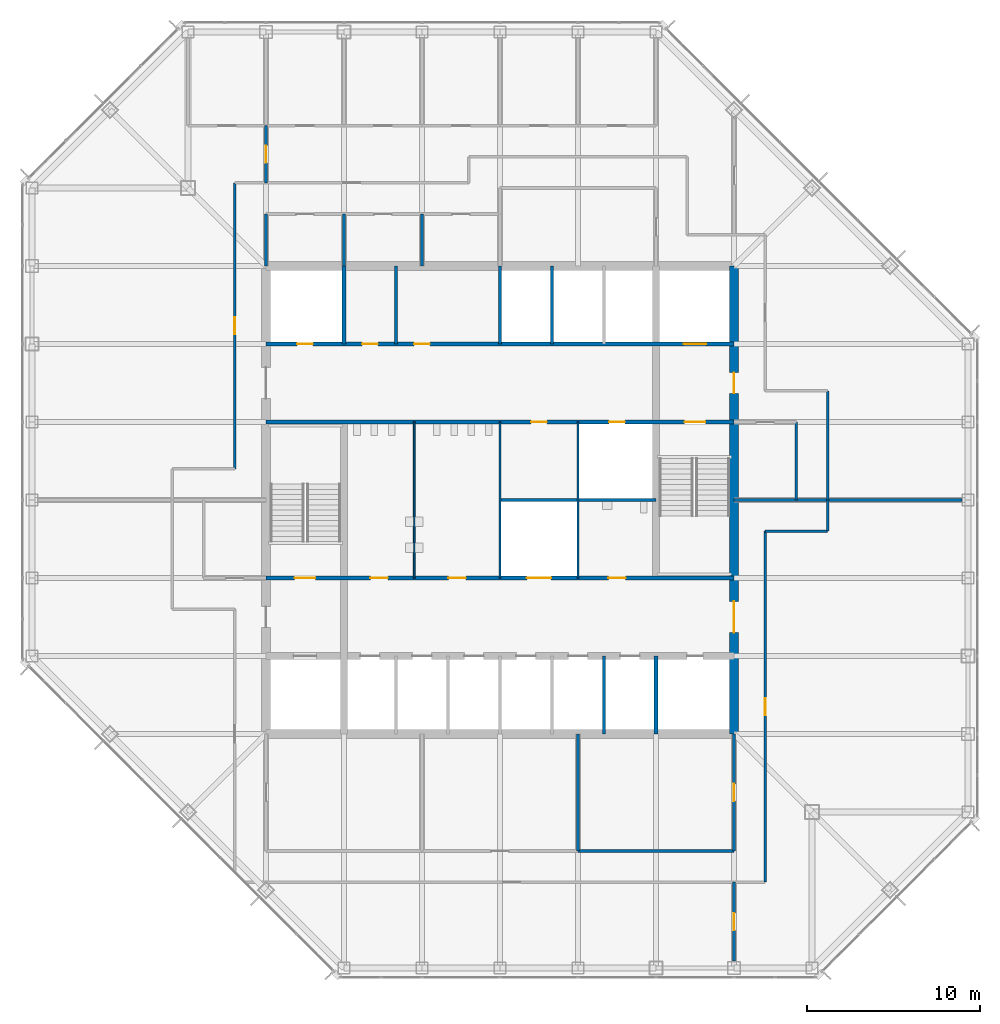
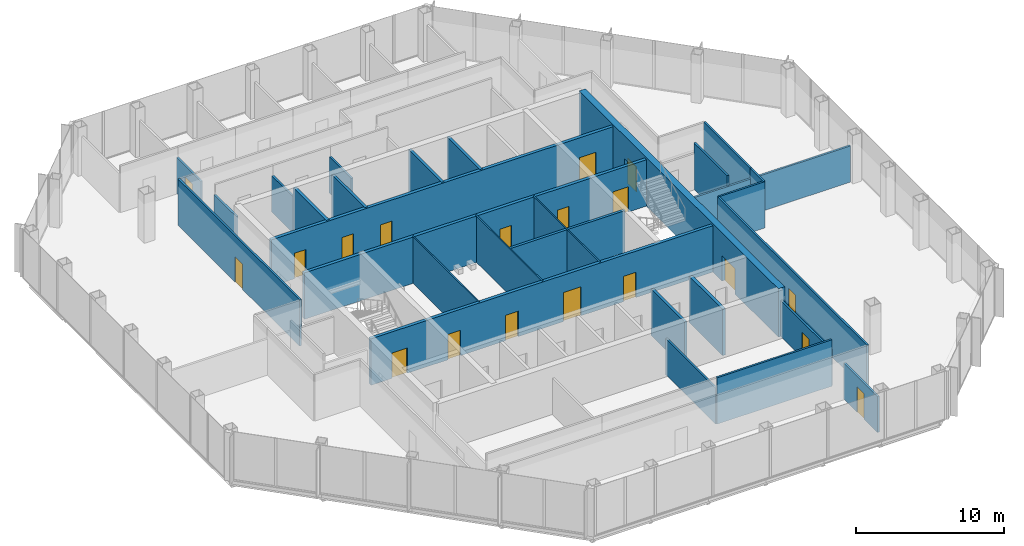
# One storey, part 9 of 13: 29 walls, 19 doors, 19 openings.
"""IFC4 building model written with IfcOpenShell, lengths in metres."""

from ifc_helpers import new_model, si_unit, direction, frame, frame_2d, origin, place, context, subcontext, project, spatial, rectangle, extrude, material, layer, layer_set, type_object, element, fill, save


model = new_model("IFC4")

# Units and contexts
model_context = context("Model", 3, precision=1e-05, world=origin(), true_north=direction((0.0, 1.0)))
body_context = subcontext(model_context, "Body", "Model", "MODEL_VIEW")
ifc_project = project(units=[si_unit("LENGTHUNIT", "METRE"), si_unit("AREAUNIT", "SQUARE_METRE"), si_unit("VOLUMEUNIT", "CUBIC_METRE"), si_unit("PLANEANGLEUNIT", "RADIAN"), si_unit("MASSUNIT", "GRAM", prefix="KILO")], contexts=[model_context])

# Site, building, storey
site_placement = place(None, origin())
site = spatial("IfcSite", under=ifc_project, at=site_placement, CompositionType="ELEMENT")
building_placement = place(site_placement, origin())
building = spatial("IfcBuilding", under=site, at=building_placement, Name="Corais Broadcast Tower", CompositionType="ELEMENT")
storey_placement = place(building_placement, frame((0.0, 0.0, 167.60009765625)))
storey = spatial("IfcBuildingStorey", under=building, at=storey_placement, Name="L38", CompositionType="ELEMENT", Elevation=167.60009765625)

# Walls
ifc_material_1 = material(Name="Concrete blockwork class A, grouted, two-hour", Category="masonry")
ifc_layer_1 = layer(ifc_material_1, 0.25)
ifc_layer_set_1 = layer_set([ifc_layer_1], Name="Concrete blockwork class A, grouted, two-hour")
wall_type_1 = type_object("IfcWallType", Name="Core lobby wall 250", PredefinedType="SOLIDWALL", material=ifc_layer_set_1)
for number, where, z_axis, x_axis, name in (
    (1, (18.0, 36.0, 0.0), (0.0, 0.0, 1.0), (0.0, 1.0, 0.0), "CL2 core shaft wall X18B L38"),
    (2, (36.0, 13.5, 0.0), (0.0, 0.0, 1.0), (0.0, 1.0, 0.0), "CL2 core shaft wall X36A L38"),
):
    element("IfcWall", number, at=place(storey_placement, frame(where, z_axis=z_axis, x_axis=x_axis)), inside=storey, type_object=wall_type_1, Name=name, PredefinedType="SOLIDWALL", context=body_context, shape_type="SweptSolid", body=[
        extrude(rectangle(XDim=4.5, YDim=0.25, at=frame_2d((2.25, 0.0))), origin(), (0.0, 0.0, 1.0), 3.83984375),
    ])

# Wall, openings, doors
wall_1_placement = place(storey_placement, frame((13.5, 22.5, 0.0), z_axis=(0.0, 0.0, 1.0), x_axis=(1.0, 0.0, 0.0)))
wall_1 = element("IfcWall", 3, at=wall_1_placement, inside=storey, type_object=wall_type_1, Name="CL2 core lobby wall Y225 L38", PredefinedType="SOLIDWALL", context=body_context, shape_type="SweptSolid", body=[
    extrude(rectangle(XDim=27.0, YDim=0.25, at=frame_2d((13.5, 0.0))), origin(), (0.0, 0.0, 1.0), 3.83984375),
])
opening_1_placement = place(wall_1_placement, frame((1.64990234375, 0.0, 0.0)))
opening_1 = element("IfcOpeningElement", 4, at=opening_1_placement, cuts=wall_1, Name="Opening FD1", PredefinedType="OPENING", context=body_context, shape_type="SweptSolid", body=[
    extrude(rectangle(XDim=1.199951171875, YDim=2.10009765625, at=frame_2d((0.60009765625, 1.050048828125))), frame((0.0, 0.135009765625, 0.0), z_axis=(0.0, -1.0, 0.0), x_axis=(1.0, 0.0, 0.0)), (0.0, 0.0, 1.0), 0.27001953125),
])
opening_2_placement = place(wall_1_placement, frame((6.02490234375, 0.0, 0.0)))
opening_2 = element("IfcOpeningElement", 5, at=opening_2_placement, cuts=wall_1, Name="Opening WD1", PredefinedType="OPENING", context=body_context, shape_type="SweptSolid", body=[
    extrude(rectangle(XDim=1.0, YDim=2.10009765625, at=frame_2d((0.5, 1.050048828125))), frame((0.0, 0.135009765625, 0.0), z_axis=(0.0, -1.0, 0.0), x_axis=(1.0, 0.0, 0.0)), (0.0, 0.0, 1.0), 0.27001953125),
])
opening_3_placement = place(wall_1_placement, frame((10.52490234375, 0.0, 0.0)))
opening_3 = element("IfcOpeningElement", 6, at=opening_3_placement, cuts=wall_1, Name="Opening WD1", PredefinedType="OPENING", context=body_context, shape_type="SweptSolid", body=[
    extrude(rectangle(XDim=1.0, YDim=2.10009765625, at=frame_2d((0.5, 1.050048828125))), frame((0.0, 0.135009765625, 0.0), z_axis=(0.0, -1.0, 0.0), x_axis=(1.0, 0.0, 0.0)), (0.0, 0.0, 1.0), 0.27001953125),
])
opening_4_placement = place(wall_1_placement, frame((19.75, 0.0, 0.0)))
opening_4 = element("IfcOpeningElement", 7, at=opening_4_placement, cuts=wall_1, Name="Opening WD1", PredefinedType="OPENING", context=body_context, shape_type="SweptSolid", body=[
    extrude(rectangle(XDim=1.0, YDim=2.10009765625, at=frame_2d((0.5, 1.050048828125))), frame((0.0, 0.135009765625, 0.0), z_axis=(0.0, -1.0, 0.0), x_axis=(1.0, 0.0, 0.0)), (0.0, 0.0, 1.0), 0.27001953125),
])
opening_5_placement = place(wall_1_placement, frame((15.050048828125, 0.0, 0.0)))
opening_5 = element("IfcOpeningElement", 8, at=opening_5_placement, cuts=wall_1, Name="Opening LD3", PredefinedType="OPENING", context=body_context, shape_type="SweptSolid", body=[
    extrude(rectangle(XDim=1.39990234375, YDim=2.39990234375, at=frame_2d((0.699951171875, 1.199951171875))), frame((0.0, 0.135009765625, 0.0), z_axis=(0.0, -1.0, 0.0), x_axis=(1.0, 0.0, 0.0)), (0.0, 0.0, 1.0), 0.27001953125),
])
ifc_material_2 = material(Name="Steel fire door", Category="steel")
door_type_1 = type_object("IfcDoorType", Name="Fire door 1200x2100", OperationType="SINGLE_SWING_LEFT", PredefinedType="DOOR", material=ifc_material_2)
door_1_placement = place(opening_1_placement, origin())
door_1 = element("IfcDoor", 9, at=door_1_placement, inside=storey, type_object=door_type_1, Name="FD1 stair A door L38", OperationType="SINGLE_SWING_LEFT", OverallHeight=2.10009765625, OverallWidth=1.199951171875, PredefinedType="DOOR", context=body_context, shape_type="SweptSolid", body=[
    extrude(rectangle(XDim=1.199951171875, YDim=2.10009765625, at=frame_2d((0.60009765625, 1.050048828125))), frame((0.0, 0.02490234375, 0.0), z_axis=(0.0, -1.0, 0.0), x_axis=(1.0, 0.0, 0.0)), (0.0, 0.0, 1.0), 0.050048828125),
])
fill(opening_1, door_1)
ifc_material_3 = material(Name="Stainless steel lift door", Category="steel")
door_type_2 = type_object("IfcDoorType", Name="Service lift landing door 1400x2400", OperationType="SLIDING_TO_LEFT", PredefinedType="DOOR", material=ifc_material_3)
door_2_placement = place(opening_5_placement, origin())
door_2 = element("IfcDoor", 10, at=door_2_placement, inside=storey, type_object=door_type_2, Name="LD3 SL1 landing door L38", OperationType="SLIDING_TO_LEFT", OverallHeight=2.39990234375, OverallWidth=1.39990234375, PredefinedType="DOOR", context=body_context, shape_type="SweptSolid", body=[
    extrude(rectangle(XDim=1.39990234375, YDim=2.39990234375, at=frame_2d((0.699951171875, 1.199951171875))), frame((0.0, 0.02490234375, 0.0), z_axis=(0.0, -1.0, 0.0), x_axis=(1.0, 0.0, 0.0)), (0.0, 0.0, 1.0), 0.050048828125),
])
fill(opening_5, door_2)
ifc_material_4 = material(Name="Timber door", Category="wood")
door_type_3 = type_object("IfcDoorType", Name="Toilet door 1000x2100", OperationType="SINGLE_SWING_LEFT", PredefinedType="DOOR", material=ifc_material_4)
door_3_placement = place(opening_2_placement, origin())
door_3 = element("IfcDoor", 11, at=door_3_placement, inside=storey, type_object=door_type_3, Name="WD1 WC male door L38", OperationType="SINGLE_SWING_LEFT", OverallHeight=2.10009765625, OverallWidth=1.0, PredefinedType="DOOR", context=body_context, shape_type="SweptSolid", body=[
    extrude(rectangle(XDim=1.0, YDim=2.10009765625, at=frame_2d((0.5, 1.050048828125))), frame((0.0, 0.02490234375, 0.0), z_axis=(0.0, -1.0, 0.0), x_axis=(1.0, 0.0, 0.0)), (0.0, 0.0, 1.0), 0.050048828125),
])
fill(opening_2, door_3)
door_4_placement = place(opening_3_placement, origin())
door_4 = element("IfcDoor", 12, at=door_4_placement, inside=storey, type_object=door_type_3, Name="WD1 WC female door L38", OperationType="SINGLE_SWING_LEFT", OverallHeight=2.10009765625, OverallWidth=1.0, PredefinedType="DOOR", context=body_context, shape_type="SweptSolid", body=[
    extrude(rectangle(XDim=1.0, YDim=2.10009765625, at=frame_2d((0.5, 1.050048828125))), frame((0.0, 0.02490234375, 0.0), z_axis=(0.0, -1.0, 0.0), x_axis=(1.0, 0.0, 0.0)), (0.0, 0.0, 1.0), 0.050048828125),
])
fill(opening_3, door_4)
door_5_placement = place(opening_4_placement, origin())
door_5 = element("IfcDoor", 13, at=door_5_placement, inside=storey, type_object=door_type_3, Name="WD1 accessible WC door L38", OperationType="SINGLE_SWING_RIGHT", OverallHeight=2.10009765625, OverallWidth=1.0, PredefinedType="DOOR", context=body_context, shape_type="SweptSolid", body=[
    extrude(rectangle(XDim=1.0, YDim=2.10009765625, at=frame_2d((0.5, 1.050048828125))), frame((0.0, 0.02490234375, 0.0), z_axis=(0.0, -1.0, 0.0), x_axis=(1.0, 0.0, 0.0)), (0.0, 0.0, 1.0), 0.050048828125),
])
fill(opening_4, door_5)

wall_2_placement = place(storey_placement, frame((13.5, 31.5, 0.0), z_axis=(0.0, 0.0, 1.0), x_axis=(1.0, 0.0, 0.0)))
wall_2 = element("IfcWall", 14, at=wall_2_placement, inside=storey, type_object=wall_type_1, Name="CL2 core lobby wall Y315 L38", PredefinedType="SOLIDWALL", context=body_context, shape_type="SweptSolid", body=[
    extrude(rectangle(XDim=27.0, YDim=0.25, at=frame_2d((13.5, 0.0))), origin(), (0.0, 0.0, 1.0), 3.83984375),
])
opening_6_placement = place(wall_2_placement, frame((24.14990234375, 0.0, 0.0)))
opening_6 = element("IfcOpeningElement", 15, at=opening_6_placement, cuts=wall_2, Name="Opening FD1", PredefinedType="OPENING", context=body_context, shape_type="SweptSolid", body=[
    extrude(rectangle(XDim=1.199951171875, YDim=2.10009765625, at=frame_2d((0.60009765625, 1.050048828125))), frame((0.0, 0.135009765625, 0.0), z_axis=(0.0, -1.0, 0.0), x_axis=(1.0, 0.0, 0.0)), (0.0, 0.0, 1.0), 0.27001953125),
])
opening_7_placement = place(wall_2_placement, frame((15.300048828125, 0.0, 0.0)))
opening_7 = element("IfcOpeningElement", 16, at=opening_7_placement, cuts=wall_2, Name="Opening RD1", PredefinedType="OPENING", context=body_context, shape_type="SweptSolid", body=[
    extrude(rectangle(XDim=0.89990234375, YDim=2.10009765625, at=frame_2d((0.449951171875, 1.050048828125))), frame((0.0, 0.135009765625, 0.0), z_axis=(0.0, -1.0, 0.0), x_axis=(1.0, 0.0, 0.0)), (0.0, 0.0, 1.0), 0.27001953125),
])
opening_8_placement = place(wall_2_placement, frame((19.800048828125, 0.0, 0.0)))
opening_8 = element("IfcOpeningElement", 17, at=opening_8_placement, cuts=wall_2, Name="Opening RD1", PredefinedType="OPENING", context=body_context, shape_type="SweptSolid", body=[
    extrude(rectangle(XDim=0.89990234375, YDim=2.10009765625, at=frame_2d((0.449951171875, 1.050048828125))), frame((0.0, 0.135009765625, 0.0), z_axis=(0.0, -1.0, 0.0), x_axis=(1.0, 0.0, 0.0)), (0.0, 0.0, 1.0), 0.27001953125),
])
door_6_placement = place(opening_6_placement, origin())
door_6 = element("IfcDoor", 18, at=door_6_placement, inside=storey, type_object=door_type_1, Name="FD1 stair B door L38", OperationType="SINGLE_SWING_RIGHT", OverallHeight=2.10009765625, OverallWidth=1.199951171875, PredefinedType="DOOR", context=body_context, shape_type="SweptSolid", body=[
    extrude(rectangle(XDim=1.199951171875, YDim=2.10009765625, at=frame_2d((0.60009765625, 1.050048828125))), frame((0.0, 0.02490234375, 0.0), z_axis=(0.0, -1.0, 0.0), x_axis=(1.0, 0.0, 0.0)), (0.0, 0.0, 1.0), 0.050048828125),
])
fill(opening_6, door_6)
ifc_material_5 = material(Name="Steel fire door", Category="steel")
door_type_4 = type_object("IfcDoorType", Name="Riser door 900x2100", OperationType="SINGLE_SWING_LEFT", PredefinedType="DOOR", material=ifc_material_5)
door_7_placement = place(opening_7_placement, origin())
door_7 = element("IfcDoor", 19, at=door_7_placement, inside=storey, type_object=door_type_4, Name="RD1 stationery store door L38", OperationType="SINGLE_SWING_RIGHT", OverallHeight=2.10009765625, OverallWidth=0.89990234375, PredefinedType="DOOR", context=body_context, shape_type="SweptSolid", body=[
    extrude(rectangle(XDim=0.89990234375, YDim=2.10009765625, at=frame_2d((0.449951171875, 1.050048828125))), frame((0.0, 0.02490234375, 0.0), z_axis=(0.0, -1.0, 0.0), x_axis=(1.0, 0.0, 0.0)), (0.0, 0.0, 1.0), 0.050048828125),
])
fill(opening_7, door_7)
door_8_placement = place(opening_8_placement, origin())
door_8 = element("IfcDoor", 20, at=door_8_placement, inside=storey, type_object=door_type_4, Name="RD1 riser door L38", OperationType="SINGLE_SWING_RIGHT", OverallHeight=2.10009765625, OverallWidth=0.89990234375, PredefinedType="DOOR", context=body_context, shape_type="SweptSolid", body=[
    extrude(rectangle(XDim=0.89990234375, YDim=2.10009765625, at=frame_2d((0.449951171875, 1.050048828125))), frame((0.0, 0.02490234375, 0.0), z_axis=(0.0, -1.0, 0.0), x_axis=(1.0, 0.0, 0.0)), (0.0, 0.0, 1.0), 0.050048828125),
])
fill(opening_8, door_8)

ifc_material_6 = material(Name="Concrete C50/60", Category="concrete")
ifc_layer_2 = layer(ifc_material_6, 0.5)
ifc_layer_set_2 = layer_set([ifc_layer_2], Name="Concrete C50/60")
wall_type_2 = type_object("IfcWallType", Name="Core wall 500", PredefinedType="SHEAR", material=ifc_layer_set_2)
wall_3_placement = place(storey_placement, frame((40.5, 13.5, 0.0), z_axis=(0.0, 0.0, 1.0), x_axis=(0.0, 1.0, 0.0)))
wall_3 = element("IfcWall", 21, at=wall_3_placement, inside=storey, type_object=wall_type_2, Name="CR500 core wall E L38", PredefinedType="SHEAR", context=body_context, shape_type="SweptSolid", body=[
    extrude(rectangle(XDim=27.0, YDim=0.5, at=frame_2d((13.5, 0.0))), origin(), (0.0, 0.0, 1.0), 4.0),
])
opening_9_placement = place(wall_3_placement, frame((5.85009765625, 0.0, 0.0)))
opening_9 = element("IfcOpeningElement", 22, at=opening_9_placement, cuts=wall_3, Name="Opening FD2", PredefinedType="OPENING", context=body_context, shape_type="SweptSolid", body=[
    extrude(rectangle(XDim=1.800048828125, YDim=2.10009765625, at=frame_2d((0.89990234375, 1.050048828125))), frame((0.0, 0.260009765625, 0.0), z_axis=(0.0, -1.0, 0.0), x_axis=(1.0, 0.0, 0.0)), (0.0, 0.0, 1.0), 0.52001953125),
])
opening_10_placement = place(wall_3_placement, frame((19.64990234375, 0.0, 0.0)))
opening_10 = element("IfcOpeningElement", 23, at=opening_10_placement, cuts=wall_3, Name="Opening FD1", PredefinedType="OPENING", context=body_context, shape_type="SweptSolid", body=[
    extrude(rectangle(XDim=1.199951171875, YDim=2.10009765625, at=frame_2d((0.60009765625, 1.050048828125))), frame((0.0, 0.260009765625, 0.0), z_axis=(0.0, -1.0, 0.0), x_axis=(1.0, 0.0, 0.0)), (0.0, 0.0, 1.0), 0.52001953125),
])
door_9_placement = place(opening_10_placement, origin())
door_9 = element("IfcDoor", 24, at=door_9_placement, inside=storey, type_object=door_type_1, Name="FD1 fire lobby B door L38", OperationType="SINGLE_SWING_RIGHT", OverallHeight=2.10009765625, OverallWidth=1.199951171875, PredefinedType="DOOR", context=body_context, shape_type="SweptSolid", body=[
    extrude(rectangle(XDim=1.199951171875, YDim=2.10009765625, at=frame_2d((0.60009765625, 1.050048828125))), frame((0.0, 0.02490234375, 0.0), z_axis=(0.0, -1.0, 0.0), x_axis=(1.0, 0.0, 0.0)), (0.0, 0.0, 1.0), 0.050048828125),
])
fill(opening_10, door_9)
ifc_material_7 = material(Name="Steel fire door", Category="steel")
door_type_5 = type_object("IfcDoorType", Name="Fire door pair 1800x2100", OperationType="DOUBLE_DOOR_SINGLE_SWING", PredefinedType="DOOR", material=ifc_material_7)
door_10_placement = place(opening_9_placement, origin())
door_10 = element("IfcDoor", 25, at=door_10_placement, inside=storey, type_object=door_type_5, Name="FD2 lift lobby door L38", OperationType="SINGLE_SWING_LEFT", OverallHeight=2.10009765625, OverallWidth=1.800048828125, PredefinedType="DOOR", context=body_context, shape_type="SweptSolid", body=[
    extrude(rectangle(XDim=1.800048828125, YDim=2.10009765625, at=frame_2d((0.89990234375, 1.050048828125))), frame((0.0, 0.02490234375, 0.0), z_axis=(0.0, -1.0, 0.0), x_axis=(1.0, 0.0, 0.0)), (0.0, 0.0, 1.0), 0.050048828125),
])
fill(opening_9, door_10)

ifc_material_8 = material(Name="Concrete blockwork class A, grouted, four-hour", Category="masonry")
ifc_layer_3 = layer(ifc_material_8, 0.25)
ifc_layer_set_3 = layer_set([ifc_layer_3], Name="Concrete blockwork class A, grouted, four-hour")
wall_type_3 = type_object("IfcWallType", Name="Emergency lift shaft wall 250", PredefinedType="SOLIDWALL", material=ifc_layer_set_3)
wall_4_placement = place(storey_placement, frame((13.5, 36.0, 0.0), z_axis=(0.0, 0.0, 1.0), x_axis=(1.0, 0.0, 0.0)))
wall_4 = element("IfcWall", 26, at=wall_4_placement, inside=storey, type_object=wall_type_3, Name="LS2 core lobby wall Y36 L38", PredefinedType="SOLIDWALL", context=body_context, shape_type="SweptSolid", body=[
    extrude(rectangle(XDim=27.0, YDim=0.25, at=frame_2d((13.5, 0.0))), origin(), (0.0, 0.0, 1.0), 3.83984375),
])
opening_11_placement = place(wall_4_placement, frame((1.800048828125, 0.0, 0.0)))
opening_11 = element("IfcOpeningElement", 27, at=opening_11_placement, cuts=wall_4, Name="Opening RD1", PredefinedType="OPENING", context=body_context, shape_type="SweptSolid", body=[
    extrude(rectangle(XDim=0.89990234375, YDim=2.10009765625, at=frame_2d((0.449951171875, 1.050048828125))), frame((0.0, 0.135009765625, 0.0), z_axis=(0.0, -1.0, 0.0), x_axis=(1.0, 0.0, 0.0)), (0.0, 0.0, 1.0), 0.27001953125),
])
opening_12_placement = place(wall_4_placement, frame((5.550048828125, 0.0, 0.0)))
opening_12 = element("IfcOpeningElement", 28, at=opening_12_placement, cuts=wall_4, Name="Opening RD1", PredefinedType="OPENING", context=body_context, shape_type="SweptSolid", body=[
    extrude(rectangle(XDim=0.89990234375, YDim=2.10009765625, at=frame_2d((0.449951171875, 1.050048828125))), frame((0.0, 0.135009765625, 0.0), z_axis=(0.0, -1.0, 0.0), x_axis=(1.0, 0.0, 0.0)), (0.0, 0.0, 1.0), 0.27001953125),
])
opening_13_placement = place(wall_4_placement, frame((8.550048828125, 0.0, 0.0)))
opening_13 = element("IfcOpeningElement", 29, at=opening_13_placement, cuts=wall_4, Name="Opening RD1", PredefinedType="OPENING", context=body_context, shape_type="SweptSolid", body=[
    extrude(rectangle(XDim=0.89990234375, YDim=2.10009765625, at=frame_2d((0.449951171875, 1.050048828125))), frame((0.0, 0.135009765625, 0.0), z_axis=(0.0, -1.0, 0.0), x_axis=(1.0, 0.0, 0.0)), (0.0, 0.0, 1.0), 0.27001953125),
])
opening_14_placement = place(wall_4_placement, frame((24.10009765625, 0.0, 0.0)))
opening_14 = element("IfcOpeningElement", 30, at=opening_14_placement, cuts=wall_4, Name="Opening LD2", PredefinedType="OPENING", context=body_context, shape_type="SweptSolid", body=[
    extrude(rectangle(XDim=1.300048828125, YDim=2.199951171875, at=frame_2d((0.64990234375, 1.10009765625))), frame((0.0, 0.135009765625, 0.0), z_axis=(0.0, -1.0, 0.0), x_axis=(1.0, 0.0, 0.0)), (0.0, 0.0, 1.0), 0.27001953125),
])
ifc_material_9 = material(Name="Stainless steel lift door", Category="steel")
door_type_6 = type_object("IfcDoorType", Name="Lift landing door 1300x2200", OperationType="SLIDING_TO_LEFT", PredefinedType="DOOR", material=ifc_material_9)
door_11_placement = place(opening_14_placement, origin())
door_11 = element("IfcDoor", 31, at=door_11_placement, inside=storey, type_object=door_type_6, Name="LD2 FL2 landing door L38", OperationType="SLIDING_TO_LEFT", OverallHeight=2.199951171875, OverallWidth=1.300048828125, PredefinedType="DOOR", context=body_context, shape_type="SweptSolid", body=[
    extrude(rectangle(XDim=1.300048828125, YDim=2.199951171875, at=frame_2d((0.64990234375, 1.10009765625))), frame((0.0, 0.02490234375, 0.0), z_axis=(0.0, -1.0, 0.0), x_axis=(1.0, 0.0, 0.0)), (0.0, 0.0, 1.0), 0.050048828125),
])
fill(opening_14, door_11)
door_12_placement = place(opening_11_placement, origin())
door_12 = element("IfcDoor", 32, at=door_12_placement, inside=storey, type_object=door_type_4, Name="RD1 riser door L38", OperationType="SINGLE_SWING_LEFT", OverallHeight=2.10009765625, OverallWidth=0.89990234375, PredefinedType="DOOR", context=body_context, shape_type="SweptSolid", body=[
    extrude(rectangle(XDim=0.89990234375, YDim=2.10009765625, at=frame_2d((0.449951171875, 1.050048828125))), frame((0.0, 0.02490234375, 0.0), z_axis=(0.0, -1.0, 0.0), x_axis=(1.0, 0.0, 0.0)), (0.0, 0.0, 1.0), 0.050048828125),
])
fill(opening_11, door_12)
door_13_placement = place(opening_12_placement, origin())
door_13 = element("IfcDoor", 33, at=door_13_placement, inside=storey, type_object=door_type_4, Name="RD1 vending room door L38", OperationType="SINGLE_SWING_LEFT", OverallHeight=2.10009765625, OverallWidth=0.89990234375, PredefinedType="DOOR", context=body_context, shape_type="SweptSolid", body=[
    extrude(rectangle(XDim=0.89990234375, YDim=2.10009765625, at=frame_2d((0.449951171875, 1.050048828125))), frame((0.0, 0.02490234375, 0.0), z_axis=(0.0, -1.0, 0.0), x_axis=(1.0, 0.0, 0.0)), (0.0, 0.0, 1.0), 0.050048828125),
])
fill(opening_12, door_13)
door_14_placement = place(opening_13_placement, origin())
door_14 = element("IfcDoor", 34, at=door_14_placement, inside=storey, type_object=door_type_4, Name="RD1 av equipment room door L38", OperationType="SINGLE_SWING_LEFT", OverallHeight=2.10009765625, OverallWidth=0.89990234375, PredefinedType="DOOR", context=body_context, shape_type="SweptSolid", body=[
    extrude(rectangle(XDim=0.89990234375, YDim=2.10009765625, at=frame_2d((0.449951171875, 1.050048828125))), frame((0.0, 0.02490234375, 0.0), z_axis=(0.0, -1.0, 0.0), x_axis=(1.0, 0.0, 0.0)), (0.0, 0.0, 1.0), 0.050048828125),
])
fill(opening_13, door_14)

# Wall
ifc_material_10 = material(Name="Two layers of fire-rated gypsum board each side on steel studs", Category="steel")
ifc_layer_4 = layer(ifc_material_10, 0.14990234375)
ifc_layer_set_4 = layer_set([ifc_layer_4], Name="Two layers of fire-rated gypsum board each side on steel studs")
wall_type_4 = type_object("IfcWallType", Name="Fire-rated partition 150 EI 60", PredefinedType="PARTITIONING", material=ifc_layer_set_4)
wall_5_placement = place(storey_placement, frame((40.5, 27.0, 0.0), z_axis=(0.0, 0.0, 1.0), x_axis=(1.0, 0.0, 0.0)))
element("IfcWall", 35, at=wall_5_placement, inside=storey, type_object=wall_type_4, Name="IW7 tenancy wall L38", PredefinedType="PARTITIONING", context=body_context, shape_type="SweptSolid", body=[
    extrude(rectangle(XDim=13.139892578125, YDim=0.14990234375, at=frame_2d((6.56982421875, 0.0))), origin(), (0.0, 0.0, 1.0), 2.989013671875),
])

# Wall, opening, door
ifc_material_11 = material(Name="Gypsum board on steel studs", Category="steel")
ifc_layer_5 = layer(ifc_material_11, 0.14990234375)
ifc_layer_set_5 = layer_set([ifc_layer_5], Name="Gypsum board on steel studs")
wall_type_5 = type_object("IfcWallType", Name="Partition 150", PredefinedType="PARTITIONING", material=ifc_layer_set_5)
wall_6_placement = place(storey_placement, frame((11.699951171875, 45.300048828125, 0.0), z_axis=(0.0, 0.0, 1.0), x_axis=(0.0, -1.0, 0.0)))
wall_6 = element("IfcWall", 36, at=wall_6_placement, inside=storey, type_object=wall_type_5, Name="IW3 corridor wall L38", PredefinedType="PARTITIONING", context=body_context, shape_type="SweptSolid", body=[
    extrude(rectangle(XDim=16.5, YDim=0.14990234375, at=frame_2d((8.25, 0.0))), origin(), (0.0, 0.0, 1.0), 3.83984375),
])
opening_15_placement = place(wall_6_placement, frame((7.75, 0.0, 0.0)))
opening_15 = element("IfcOpeningElement", 37, at=opening_15_placement, cuts=wall_6, Name="Opening D1", PredefinedType="OPENING", context=body_context, shape_type="SweptSolid", body=[
    extrude(rectangle(XDim=1.0, YDim=2.10009765625, at=frame_2d((0.5, 1.050048828125))), frame((0.0, 0.0849609375, 0.0), z_axis=(0.0, -1.0, 0.0), x_axis=(1.0, 0.0, 0.0)), (0.0, 0.0, 1.0), 0.169921875),
])
ifc_material_12 = material(Name="Timber door", Category="wood")
door_type_7 = type_object("IfcDoorType", Name="Single door 1000x2100", OperationType="SINGLE_SWING_LEFT", PredefinedType="DOOR", material=ifc_material_12)
door_15_placement = place(opening_15_placement, origin())
door_15 = element("IfcDoor", 38, at=door_15_placement, inside=storey, type_object=door_type_7, Name="D1 workplace door L38", OperationType="SINGLE_SWING_LEFT", OverallHeight=2.10009765625, OverallWidth=1.0, PredefinedType="DOOR", context=body_context, shape_type="SweptSolid", body=[
    extrude(rectangle(XDim=1.0, YDim=2.10009765625, at=frame_2d((0.5, 1.050048828125))), frame((0.0, 0.02490234375, 0.0), z_axis=(0.0, -1.0, 0.0), x_axis=(1.0, 0.0, 0.0)), (0.0, 0.0, 1.0), 0.050048828125),
])
fill(opening_15, door_15)

# Wall
wall_7_placement = place(storey_placement, frame((45.89990234375, 27.00048828125, 0.0), z_axis=(0.0, 0.0, 1.0), x_axis=(0.0, 1.0, 0.0)))
element("IfcWall", 39, at=wall_7_placement, inside=storey, type_object=wall_type_5, Name="IW3 corridor wall L38", PredefinedType="PARTITIONING", context=body_context, shape_type="SweptSolid", body=[
    extrude(rectangle(XDim=6.299560546875, YDim=0.14990234375, at=frame_2d((3.14990234375, 0.0))), origin(), (0.0, 0.0, 1.0), 3.83984375),
])

# Wall, opening, door
wall_8_placement = place(storey_placement, frame((42.300048828125, 4.949951171875, 0.0), z_axis=(0.0, 0.0, 1.0), x_axis=(0.0, 1.0, 0.0)))
wall_8 = element("IfcWall", 40, at=wall_8_placement, inside=storey, type_object=wall_type_5, Name="IW3 corridor wall L38", PredefinedType="PARTITIONING", context=body_context, shape_type="SweptSolid", body=[
    extrude(rectangle(XDim=20.25, YDim=0.14990234375, at=frame_2d((10.125, 0.0))), origin(), (0.0, 0.0, 1.0), 3.83984375),
])
opening_16_placement = place(wall_8_placement, frame((9.625, 0.0, 0.0)))
opening_16 = element("IfcOpeningElement", 41, at=opening_16_placement, cuts=wall_8, Name="Opening D1", PredefinedType="OPENING", context=body_context, shape_type="SweptSolid", body=[
    extrude(rectangle(XDim=1.0, YDim=2.10009765625, at=frame_2d((0.5, 1.050048828125))), frame((0.0, 0.0849609375, 0.0), z_axis=(0.0, -1.0, 0.0), x_axis=(1.0, 0.0, 0.0)), (0.0, 0.0, 1.0), 0.169921875),
])
door_16_placement = place(opening_16_placement, origin())
door_16 = element("IfcDoor", 42, at=door_16_placement, inside=storey, type_object=door_type_7, Name="D1 workplace door L38", OperationType="SINGLE_SWING_LEFT", OverallHeight=2.10009765625, OverallWidth=1.0, PredefinedType="DOOR", context=body_context, shape_type="SweptSolid", body=[
    extrude(rectangle(XDim=1.0, YDim=2.10009765625, at=frame_2d((0.5, 1.050048828125))), frame((0.0, 0.02490234375, 0.0), z_axis=(0.0, -1.0, 0.0), x_axis=(1.0, 0.0, 0.0)), (0.0, 0.0, 1.0), 0.050048828125),
])
fill(opening_16, door_16)

# Walls
wall_9_placement = place(storey_placement, frame((42.300048828125, 25.199951171875, 0.0), z_axis=(0.0, 0.0, 1.0), x_axis=(1.0, 0.0, 0.0)))
element("IfcWall", 43, at=wall_9_placement, inside=storey, type_object=wall_type_5, Name="IW3 corridor wall L38", PredefinedType="PARTITIONING", context=body_context, shape_type="SweptSolid", body=[
    extrude(rectangle(XDim=3.599853515625, YDim=0.14990234375, at=frame_2d((1.7998046875, 0.0))), origin(), (0.0, 0.0, 1.0), 3.83984375),
])
wall_10_placement = place(storey_placement, frame((45.89990234375, 25.199951171875, 0.0), z_axis=(0.0, 0.0, 1.0), x_axis=(0.0, 1.0, 0.0)))
element("IfcWall", 44, at=wall_10_placement, inside=storey, type_object=wall_type_5, Name="IW3 corridor wall L38", PredefinedType="PARTITIONING", context=body_context, shape_type="SweptSolid", body=[
    extrude(rectangle(XDim=1.799560546875, YDim=0.14990234375, at=frame_2d((0.89990234375, 0.0))), origin(), (0.0, 0.0, 1.0), 3.83984375),
])
wall_11_placement = place(storey_placement, frame((31.5, 6.75, 0.0), z_axis=(0.0, 0.0, 1.0), x_axis=(0.0, 1.0, 0.0)))
element("IfcWall", 45, at=wall_11_placement, inside=storey, type_object=wall_type_5, Name="IW3 partition L38", PredefinedType="PARTITIONING", context=body_context, shape_type="SweptSolid", body=[
    extrude(rectangle(XDim=6.75, YDim=0.14990234375, at=frame_2d((3.375, 0.0))), origin(), (0.0, 0.0, 1.0), 2.989013671875),
])
wall_12_placement = place(storey_placement, frame((31.5, 6.75, 0.0), z_axis=(0.0, 0.0, 1.0), x_axis=(1.0, 0.0, 0.0)))
element("IfcWall", 46, at=wall_12_placement, inside=storey, type_object=wall_type_5, Name="IW3 partition L38", PredefinedType="PARTITIONING", context=body_context, shape_type="SweptSolid", body=[
    extrude(rectangle(XDim=9.0, YDim=0.14990234375, at=frame_2d((4.5, 0.0))), origin(), (0.0, 0.0, 1.0), 3.83984375),
])

# Wall, opening, door
wall_13_placement = place(storey_placement, frame((40.5, 6.75, 0.0), z_axis=(0.0, 0.0, 1.0), x_axis=(0.0, 1.0, 0.0)))
wall_13 = element("IfcWall", 47, at=wall_13_placement, inside=storey, type_object=wall_type_5, Name="IW3 partition L38", PredefinedType="PARTITIONING", context=body_context, shape_type="SweptSolid", body=[
    extrude(rectangle(XDim=6.75, YDim=0.14990234375, at=frame_2d((3.375, 0.0))), origin(), (0.0, 0.0, 1.0), 2.989013671875),
])
opening_17_placement = place(wall_13_placement, frame((2.875, 0.0, 0.0)))
opening_17 = element("IfcOpeningElement", 48, at=opening_17_placement, cuts=wall_13, Name="Opening D1", PredefinedType="OPENING", context=body_context, shape_type="SweptSolid", body=[
    extrude(rectangle(XDim=1.0, YDim=2.10009765625, at=frame_2d((0.5, 1.050048828125))), frame((0.0, 0.0849609375, 0.0), z_axis=(0.0, -1.0, 0.0), x_axis=(1.0, 0.0, 0.0)), (0.0, 0.0, 1.0), 0.169921875),
])
door_17_placement = place(opening_17_placement, origin())
door_17 = element("IfcDoor", 49, at=door_17_placement, inside=storey, type_object=door_type_7, Name="D1 Office door", OperationType="SINGLE_SWING_LEFT", OverallHeight=2.10009765625, OverallWidth=1.0, PredefinedType="DOOR", context=body_context, shape_type="SweptSolid", body=[
    extrude(rectangle(XDim=1.0, YDim=2.10009765625, at=frame_2d((0.5, 1.050048828125))), frame((0.0, 0.02490234375, 0.0), z_axis=(0.0, -1.0, 0.0), x_axis=(1.0, 0.0, 0.0)), (0.0, 0.0, 1.0), 0.050048828125),
])
fill(opening_17, door_17)

# Walls
wall_14_placement = place(storey_placement, frame((44.10009765625, 27.0, 0.0), z_axis=(0.0, 0.0, 1.0), x_axis=(0.0, 1.0, 0.0)))
element("IfcWall", 50, at=wall_14_placement, inside=storey, type_object=wall_type_5, Name="IW3 partition L38", PredefinedType="PARTITIONING", context=body_context, shape_type="SweptSolid", body=[
    extrude(rectangle(XDim=4.5, YDim=0.14990234375, at=frame_2d((2.25, 0.0))), origin(), (0.0, 0.0, 1.0), 3.83984375),
])
for number, where, z_axis, x_axis, name in (
    (51, (18.0, 40.5, 0.0), (0.0, 0.0, 1.0), (0.0, 1.0, 0.0), "IW3 partition L38"),
    (52, (13.5, 43.5, 0.0), (0.0, 0.0, 1.0), (0.0, -1.0, 0.0), "IW3 partition L38"),
    (53, (22.5, 40.5, 0.0), (0.0, 0.0, 1.0), (0.0, 1.0, 0.0), "IW3 partition L38"),
):
    element("IfcWall", number, at=place(storey_placement, frame(where, z_axis=z_axis, x_axis=x_axis)), inside=storey, type_object=wall_type_5, Name=name, PredefinedType="PARTITIONING", context=body_context, shape_type="SweptSolid", body=[
        extrude(rectangle(XDim=3.0, YDim=0.14990234375, at=frame_2d((1.5, 0.0))), origin(), (0.0, 0.0, 1.0), 2.989013671875),
    ])

# Wall, opening, door
wall_15_placement = place(storey_placement, frame((13.5, 45.300048828125, 0.0), z_axis=(0.0, 0.0, 1.0), x_axis=(0.0, 1.0, 0.0)))
wall_15 = element("IfcWall", 54, at=wall_15_placement, inside=storey, type_object=wall_type_5, Name="IW3 partition L38", PredefinedType="PARTITIONING", context=body_context, shape_type="SweptSolid", body=[
    extrude(rectangle(XDim=3.300048828125, YDim=0.14990234375, at=frame_2d((1.64990234375, 0.0))), origin(), (0.0, 0.0, 1.0), 2.989013671875),
])
opening_18_placement = place(wall_15_placement, frame((1.14990234375, 0.0, 0.0)))
opening_18 = element("IfcOpeningElement", 55, at=opening_18_placement, cuts=wall_15, Name="Opening D1", PredefinedType="OPENING", context=body_context, shape_type="SweptSolid", body=[
    extrude(rectangle(XDim=1.0, YDim=2.10009765625, at=frame_2d((0.5, 1.050048828125))), frame((0.0, 0.0849609375, 0.0), z_axis=(0.0, -1.0, 0.0), x_axis=(1.0, 0.0, 0.0)), (0.0, 0.0, 1.0), 0.169921875),
])
door_18_placement = place(opening_18_placement, origin())
door_18 = element("IfcDoor", 56, at=door_18_placement, inside=storey, type_object=door_type_7, Name="D1 team room door L38", OperationType="SINGLE_SWING_LEFT", OverallHeight=2.10009765625, OverallWidth=1.0, PredefinedType="DOOR", context=body_context, shape_type="SweptSolid", body=[
    extrude(rectangle(XDim=1.0, YDim=2.10009765625, at=frame_2d((0.5, 1.050048828125))), frame((0.0, 0.02490234375, 0.0), z_axis=(0.0, -1.0, 0.0), x_axis=(1.0, 0.0, 0.0)), (0.0, 0.0, 1.0), 0.050048828125),
])
fill(opening_18, door_18)

wall_16_placement = place(storey_placement, frame((40.5, 0.39501953125, 0.0), z_axis=(0.0, 0.0, 1.0), x_axis=(0.0, 1.0, 0.0)))
wall_16 = element("IfcWall", 57, at=wall_16_placement, inside=storey, type_object=wall_type_5, Name="IW3 partition L38", PredefinedType="PARTITIONING", context=body_context, shape_type="SweptSolid", body=[
    extrude(rectangle(XDim=4.554931640625, YDim=0.14990234375, at=frame_2d((2.27734375, 0.0))), origin(), (0.0, 0.0, 1.0), 2.989013671875),
])
opening_19_placement = place(wall_16_placement, frame((1.777587890625, 0.0, 0.0)))
opening_19 = element("IfcOpeningElement", 58, at=opening_19_placement, cuts=wall_16, Name="Opening D1", PredefinedType="OPENING", context=body_context, shape_type="SweptSolid", body=[
    extrude(rectangle(XDim=1.0, YDim=2.10009765625, at=frame_2d((0.5, 1.050048828125))), frame((0.0, 0.0849609375, 0.0), z_axis=(0.0, -1.0, 0.0), x_axis=(1.0, 0.0, 0.0)), (0.0, 0.0, 1.0), 0.169921875),
])
door_19_placement = place(opening_19_placement, origin())
door_19 = element("IfcDoor", 59, at=door_19_placement, inside=storey, type_object=door_type_7, Name="D1 team room door L38", OperationType="SINGLE_SWING_LEFT", OverallHeight=2.10009765625, OverallWidth=1.0, PredefinedType="DOOR", context=body_context, shape_type="SweptSolid", body=[
    extrude(rectangle(XDim=1.0, YDim=2.10009765625, at=frame_2d((0.5, 1.050048828125))), frame((0.0, 0.02490234375, 0.0), z_axis=(0.0, -1.0, 0.0), x_axis=(1.0, 0.0, 0.0)), (0.0, 0.0, 1.0), 0.050048828125),
])
fill(opening_19, door_19)

# Walls
ifc_material_13 = material(Name="Concrete blockwork class A, grouted, two-hour", Category="masonry")
ifc_layer_6 = layer(ifc_material_13, 0.199951171875)
ifc_layer_set_6 = layer_set([ifc_layer_6], Name="Concrete blockwork class A, grouted, two-hour")
wall_type_6 = type_object("IfcWallType", Name="Shaft wall 200", PredefinedType="PARTITIONING", material=ifc_layer_set_6)
for number, where, z_axis, x_axis, name in (
    (60, (21.0, 36.0, 0.0), (0.0, 0.0, 1.0), (0.0, 1.0, 0.0), "IW1 shaft wall L38"),
    (61, (27.0, 36.0, 0.0), (0.0, 0.0, 1.0), (0.0, 1.0, 0.0), "IW1 shaft wall L38"),
    (62, (30.0, 36.0, 0.0), (0.0, 0.0, 1.0), (0.0, 1.0, 0.0), "IW1 shaft wall L38"),
    (63, (33.0, 13.5, 0.0), (0.0, 0.0, 1.0), (0.0, 1.0, 0.0), "IW1 shaft wall L38"),
):
    element("IfcWall", number, at=place(storey_placement, frame(where, z_axis=z_axis, x_axis=x_axis)), inside=storey, type_object=wall_type_6, Name=name, PredefinedType="PARTITIONING", context=body_context, shape_type="SweptSolid", body=[
        extrude(rectangle(XDim=4.5, YDim=0.199951171875, at=frame_2d((2.25, 0.0))), origin(), (0.0, 0.0, 1.0), 3.83984375),
    ])
wall_17_placement = place(storey_placement, frame((27.0, 27.0, 0.0), z_axis=(0.0, 0.0, 1.0), x_axis=(1.0, 0.0, 0.0)))
element("IfcWall", 64, at=wall_17_placement, inside=storey, type_object=wall_type_6, Name="IW1 shaft wall L38", PredefinedType="PARTITIONING", context=body_context, shape_type="SweptSolid", body=[
    extrude(rectangle(XDim=9.0, YDim=0.199951171875, at=frame_2d((4.5, 0.0))), origin(), (0.0, 0.0, 1.0), 3.83984375),
])
ifc_material_14 = material(Name="Dense concrete blockwork class A, tiled both faces", Category="masonry")
ifc_layer_7 = layer(ifc_material_14, 0.10009765625)
ifc_layer_set_7 = layer_set([ifc_layer_7], Name="Dense concrete blockwork class A, tiled both faces")
wall_type_7 = type_object("IfcWallType", Name="Toilet wall 100", PredefinedType="PLUMBINGWALL", material=ifc_layer_set_7)
for number, where, z_axis, x_axis, name in (
    (65, (22.050048828125, 22.5, 0.0), (0.0, 0.0, 1.0), (0.0, 1.0, 0.0), "IW2 toilet wall L38"),
    (66, (27.0, 22.5, 0.0), (0.0, 0.0, 1.0), (0.0, 1.0, 0.0), "IW2 toilet wall L38"),
    (67, (31.5, 22.5, 0.0), (0.0, 0.0, 1.0), (0.0, 1.0, 0.0), "IW2 toilet wall L38"),
):
    element("IfcWall", number, at=place(storey_placement, frame(where, z_axis=z_axis, x_axis=x_axis)), inside=storey, type_object=wall_type_7, Name=name, PredefinedType="PLUMBINGWALL", context=body_context, shape_type="SweptSolid", body=[
        extrude(rectangle(XDim=9.0, YDim=0.10009765625, at=frame_2d((4.5, 0.0))), origin(), (0.0, 0.0, 1.0), 3.83984375),
    ])

save(model, "model.ifc")
